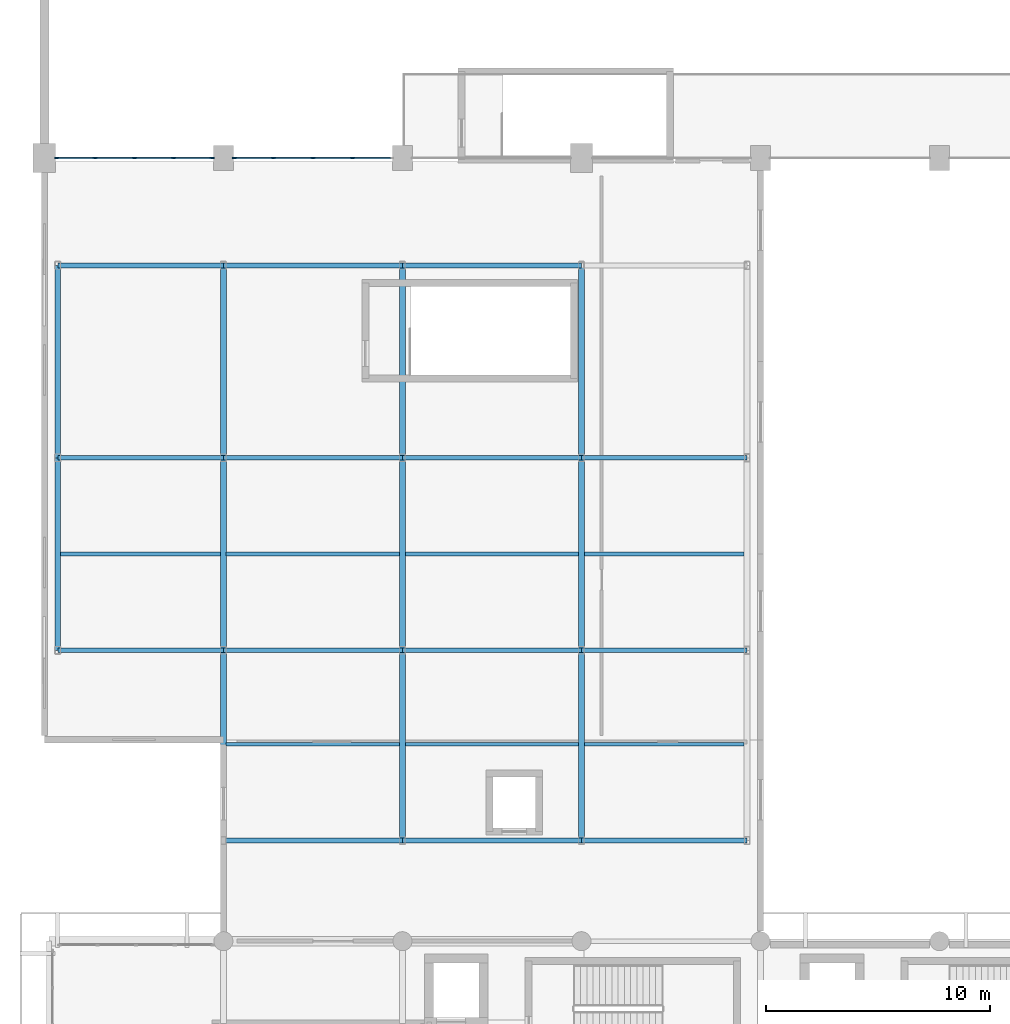
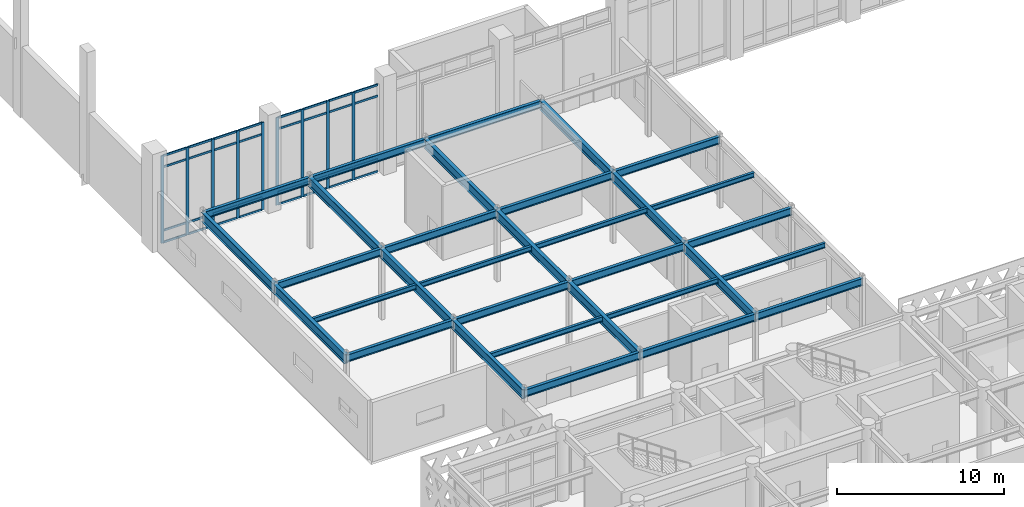
# One storey, part 17 of 84: 41 members, 32 beams, 2 elements without a shape of their own.
"""IFC4 building model written with IfcOpenShell, lengths in metres."""

from ifc_helpers import new_model, si_unit, direction, frame, origin, origin_2d, place, context, subcontext, project, spatial, rectangle, i_section, extrude, material, layer, layer_set, material_profile, profile_set, type_object, element, aggregate, save


model = new_model("IFC4")

# Units and contexts
model_context = context("Model", 3, precision=1e-05, world=origin(), true_north=direction((0.0, 1.0)))
body_context = subcontext(model_context, "Body", "Model", "MODEL_VIEW")
ifc_project = project(units=[si_unit("LENGTHUNIT", "METRE"), si_unit("AREAUNIT", "SQUARE_METRE"), si_unit("VOLUMEUNIT", "CUBIC_METRE"), si_unit("PLANEANGLEUNIT", "RADIAN"), si_unit("MASSUNIT", "GRAM", prefix="KILO")], contexts=[model_context])

# Site, building, storey
site_placement = place(None, origin())
site = spatial("IfcSite", under=ifc_project, at=site_placement, CompositionType="ELEMENT")
building_placement = place(site_placement, origin())
building = spatial("IfcBuilding", under=site, at=building_placement, Name="Tlacozan Convention Centre", CompositionType="ELEMENT")
storey_placement = place(building_placement, frame((0.0, 0.0, 6.0)))
storey = spatial("IfcBuildingStorey", under=building, at=storey_placement, Name="L01", CompositionType="ELEMENT", Elevation=6.0)

# Curtain wall, members
ifc_material_1 = material(Name="Dark Bronze Anodised Aluminium", Category="aluminium")
ifc_layer = layer(ifc_material_1, 0.199951171875)
ifc_layer_set = layer_set([ifc_layer], Name="Dark Bronze Anodised Aluminium")
curtain_wall_type = type_object("IfcCurtainWallType", Name="Exhibition Clerestory Curtain Wall CW10", PredefinedType="NOTDEFINED", material=ifc_layer_set)
curtain_wall_1_placement = place(storey_placement, origin())
curtain_wall_1 = element("IfcCurtainWall", 1, at=curtain_wall_1_placement, inside=storey, type_object=curtain_wall_type, Name="L01 CW-10 Run 9", PredefinedType="NOTDEFINED")
ifc_material_profile_1 = material_profile(ifc_material_1, rectangle(XDim=0.074951171875, YDim=0.199951171875, at=origin_2d()), Name="ALU 75x200")
ifc_profile_set_1 = profile_set([ifc_material_profile_1], Name="Dark Bronze Anodised Aluminium")
member_type_1 = type_object("IfcMemberType", Name="Curtain Wall Heavy Mullion 75x200", PredefinedType="MULLION", material=ifc_profile_set_1)
member_1_placement = place(storey_placement, frame((0.552490234375, 62.0, 0.0), z_axis=(0.0, 0.0, 1.0), x_axis=(0.0, 1.0, 0.0)))
member_1 = element("IfcMember", 2, at=member_1_placement, type_object=member_type_1, Name="CW-10 mullion 1", PredefinedType="MULLION", context=body_context, shape_type="SweptSolid", body=[
    extrude(rectangle(XDim=0.074951171875, YDim=0.199951171875, at=origin_2d()), origin(), (0.0, 0.0, 1.0), 6.39990234375),
])
member_2_placement = place(storey_placement, frame((2.27001953125, 62.0, 0.0), z_axis=(0.0, 0.0, 1.0), x_axis=(0.0, 1.0, 0.0)))
member_2 = element("IfcMember", 3, at=member_2_placement, type_object=member_type_1, Name="CW-10 mullion 2", PredefinedType="MULLION", context=body_context, shape_type="SweptSolid", body=[
    extrude(rectangle(XDim=0.074951171875, YDim=0.199951171875, at=origin_2d()), origin(), (0.0, 0.0, 1.0), 6.39990234375),
])
member_3_placement = place(storey_placement, frame((4.02490234375, 62.0, 0.0), z_axis=(0.0, 0.0, 1.0), x_axis=(0.0, 1.0, 0.0)))
member_3 = element("IfcMember", 4, at=member_3_placement, type_object=member_type_1, Name="CW-10 mullion 3", PredefinedType="MULLION", context=body_context, shape_type="SweptSolid", body=[
    extrude(rectangle(XDim=0.074951171875, YDim=0.199951171875, at=origin_2d()), origin(), (0.0, 0.0, 1.0), 6.39990234375),
])
member_4_placement = place(storey_placement, frame((5.780029296875, 62.0, 0.0), z_axis=(0.0, 0.0, 1.0), x_axis=(0.0, 1.0, 0.0)))
member_4 = element("IfcMember", 5, at=member_4_placement, type_object=member_type_1, Name="CW-10 mullion 4", PredefinedType="MULLION", context=body_context, shape_type="SweptSolid", body=[
    extrude(rectangle(XDim=0.074951171875, YDim=0.199951171875, at=origin_2d()), origin(), (0.0, 0.0, 1.0), 6.39990234375),
])
member_5_placement = place(storey_placement, frame((7.49755859375, 62.0, 0.0), z_axis=(0.0, 0.0, 1.0), x_axis=(0.0, 1.0, 0.0)))
member_5 = element("IfcMember", 6, at=member_5_placement, type_object=member_type_1, Name="CW-10 mullion 5", PredefinedType="MULLION", context=body_context, shape_type="SweptSolid", body=[
    extrude(rectangle(XDim=0.074951171875, YDim=0.199951171875, at=origin_2d()), origin(), (0.0, 0.0, 1.0), 6.39990234375),
])

curtain_wall_2_placement = place(storey_placement, origin())
curtain_wall_2 = element("IfcCurtainWall", 7, at=curtain_wall_2_placement, inside=storey, type_object=curtain_wall_type, Name="L01 CW-10 Run 10", PredefinedType="NOTDEFINED")
member_6_placement = place(storey_placement, frame((8.50244140625, 62.0, 0.0), z_axis=(0.0, 0.0, 1.0), x_axis=(0.0, 1.0, 0.0)))
member_6 = element("IfcMember", 8, at=member_6_placement, type_object=member_type_1, Name="CW-10 mullion 1", PredefinedType="MULLION", context=body_context, shape_type="SweptSolid", body=[
    extrude(rectangle(XDim=0.074951171875, YDim=0.199951171875, at=origin_2d()), origin(), (0.0, 0.0, 1.0), 6.39990234375),
])
member_7_placement = place(storey_placement, frame((10.232421875, 62.0, 0.0), z_axis=(0.0, 0.0, 1.0), x_axis=(0.0, 1.0, 0.0)))
member_7 = element("IfcMember", 9, at=member_7_placement, type_object=member_type_1, Name="CW-10 mullion 2", PredefinedType="MULLION", context=body_context, shape_type="SweptSolid", body=[
    extrude(rectangle(XDim=0.074951171875, YDim=0.199951171875, at=origin_2d()), origin(), (0.0, 0.0, 1.0), 6.39990234375),
])
member_8_placement = place(storey_placement, frame((12.0, 62.0, 0.0), z_axis=(0.0, 0.0, 1.0), x_axis=(0.0, 1.0, 0.0)))
member_8 = element("IfcMember", 10, at=member_8_placement, type_object=member_type_1, Name="CW-10 mullion 3", PredefinedType="MULLION", context=body_context, shape_type="SweptSolid", body=[
    extrude(rectangle(XDim=0.074951171875, YDim=0.199951171875, at=origin_2d()), origin(), (0.0, 0.0, 1.0), 6.39990234375),
])
member_9_placement = place(storey_placement, frame((13.767578125, 62.0, 0.0), z_axis=(0.0, 0.0, 1.0), x_axis=(0.0, 1.0, 0.0)))
member_9 = element("IfcMember", 11, at=member_9_placement, type_object=member_type_1, Name="CW-10 mullion 4", PredefinedType="MULLION", context=body_context, shape_type="SweptSolid", body=[
    extrude(rectangle(XDim=0.074951171875, YDim=0.199951171875, at=origin_2d()), origin(), (0.0, 0.0, 1.0), 6.39990234375),
])

# Member
ifc_material_profile_2 = material_profile(ifc_material_1, rectangle(XDim=0.074951171875, YDim=0.14990234375, at=origin_2d()), Name="ALU 75x150")
ifc_profile_set_2 = profile_set([ifc_material_profile_2], Name="Dark Bronze Anodised Aluminium")
member_type_2 = type_object("IfcMemberType", Name="Curtain Wall Heavy Transom 75x150", PredefinedType="USERDEFINED", material=ifc_profile_set_2)
member_10_placement = place(storey_placement, frame((0.590087890625, 62.0, 0.03759765625), z_axis=(1.0, 0.0, 0.0), x_axis=(0.0, 1.0, 0.0)))
member_10 = element("IfcMember", 12, at=member_10_placement, type_object=member_type_2, Name="CW-10 transom 1.1", ObjectType="TRANSOM", PredefinedType="USERDEFINED", context=body_context, shape_type="SweptSolid", body=[
    extrude(rectangle(XDim=0.074951171875, YDim=0.14990234375, at=origin_2d()), origin(), (0.0, 0.0, 1.0), 1.642333984375),
])

member_11_placement = place(storey_placement, frame((0.590087890625, 62.0, 0.89990234375), z_axis=(1.0, 0.0, 0.0), x_axis=(0.0, 1.0, 0.0)))
member_11 = element("IfcMember", 13, at=member_11_placement, type_object=member_type_2, Name="CW-10 transom 1.2", ObjectType="TRANSOM", PredefinedType="USERDEFINED", context=body_context, shape_type="SweptSolid", body=[
    extrude(rectangle(XDim=0.074951171875, YDim=0.14990234375, at=origin_2d()), origin(), (0.0, 0.0, 1.0), 1.642333984375),
])

member_12_placement = place(storey_placement, frame((0.590087890625, 62.0, 5.550048828125), z_axis=(1.0, 0.0, 0.0), x_axis=(0.0, 1.0, 0.0)))
member_12 = element("IfcMember", 14, at=member_12_placement, type_object=member_type_2, Name="CW-10 transom 1.3", ObjectType="TRANSOM", PredefinedType="USERDEFINED", context=body_context, shape_type="SweptSolid", body=[
    extrude(rectangle(XDim=0.074951171875, YDim=0.14990234375, at=origin_2d()), origin(), (0.0, 0.0, 1.0), 1.642333984375),
])

member_13_placement = place(storey_placement, frame((0.590087890625, 62.0, 6.362548828125), z_axis=(1.0, 0.0, 0.0), x_axis=(0.0, 1.0, 0.0)))
member_13 = element("IfcMember", 15, at=member_13_placement, type_object=member_type_2, Name="CW-10 transom 1.4", ObjectType="TRANSOM", PredefinedType="USERDEFINED", context=body_context, shape_type="SweptSolid", body=[
    extrude(rectangle(XDim=0.074951171875, YDim=0.14990234375, at=origin_2d()), origin(), (0.0, 0.0, 1.0), 1.642333984375),
])

member_14_placement = place(storey_placement, frame((2.3076171875, 62.0, 0.03759765625), z_axis=(1.0, 0.0, 0.0), x_axis=(0.0, 1.0, 0.0)))
member_14 = element("IfcMember", 16, at=member_14_placement, type_object=member_type_2, Name="CW-10 transom 2.1", ObjectType="TRANSOM", PredefinedType="USERDEFINED", context=body_context, shape_type="SweptSolid", body=[
    extrude(rectangle(XDim=0.074951171875, YDim=0.14990234375, at=origin_2d()), origin(), (0.0, 0.0, 1.0), 1.679931640625),
])

member_15_placement = place(storey_placement, frame((2.3076171875, 62.0, 0.89990234375), z_axis=(1.0, 0.0, 0.0), x_axis=(0.0, 1.0, 0.0)))
member_15 = element("IfcMember", 17, at=member_15_placement, type_object=member_type_2, Name="CW-10 transom 2.2", ObjectType="TRANSOM", PredefinedType="USERDEFINED", context=body_context, shape_type="SweptSolid", body=[
    extrude(rectangle(XDim=0.074951171875, YDim=0.14990234375, at=origin_2d()), origin(), (0.0, 0.0, 1.0), 1.679931640625),
])

member_16_placement = place(storey_placement, frame((2.3076171875, 62.0, 5.550048828125), z_axis=(1.0, 0.0, 0.0), x_axis=(0.0, 1.0, 0.0)))
member_16 = element("IfcMember", 18, at=member_16_placement, type_object=member_type_2, Name="CW-10 transom 2.3", ObjectType="TRANSOM", PredefinedType="USERDEFINED", context=body_context, shape_type="SweptSolid", body=[
    extrude(rectangle(XDim=0.074951171875, YDim=0.14990234375, at=origin_2d()), origin(), (0.0, 0.0, 1.0), 1.679931640625),
])

member_17_placement = place(storey_placement, frame((2.3076171875, 62.0, 6.362548828125), z_axis=(1.0, 0.0, 0.0), x_axis=(0.0, 1.0, 0.0)))
member_17 = element("IfcMember", 19, at=member_17_placement, type_object=member_type_2, Name="CW-10 transom 2.4", ObjectType="TRANSOM", PredefinedType="USERDEFINED", context=body_context, shape_type="SweptSolid", body=[
    extrude(rectangle(XDim=0.074951171875, YDim=0.14990234375, at=origin_2d()), origin(), (0.0, 0.0, 1.0), 1.679931640625),
])

member_18_placement = place(storey_placement, frame((4.0625, 62.0, 0.03759765625), z_axis=(1.0, 0.0, 0.0), x_axis=(0.0, 1.0, 0.0)))
member_18 = element("IfcMember", 20, at=member_18_placement, type_object=member_type_2, Name="CW-10 transom 3.1", ObjectType="TRANSOM", PredefinedType="USERDEFINED", context=body_context, shape_type="SweptSolid", body=[
    extrude(rectangle(XDim=0.074951171875, YDim=0.14990234375, at=origin_2d()), origin(), (0.0, 0.0, 1.0), 1.679931640625),
])

member_19_placement = place(storey_placement, frame((4.0625, 62.0, 0.89990234375), z_axis=(1.0, 0.0, 0.0), x_axis=(0.0, 1.0, 0.0)))
member_19 = element("IfcMember", 21, at=member_19_placement, type_object=member_type_2, Name="CW-10 transom 3.2", ObjectType="TRANSOM", PredefinedType="USERDEFINED", context=body_context, shape_type="SweptSolid", body=[
    extrude(rectangle(XDim=0.074951171875, YDim=0.14990234375, at=origin_2d()), origin(), (0.0, 0.0, 1.0), 1.679931640625),
])

member_20_placement = place(storey_placement, frame((4.0625, 62.0, 5.550048828125), z_axis=(1.0, 0.0, 0.0), x_axis=(0.0, 1.0, 0.0)))
member_20 = element("IfcMember", 22, at=member_20_placement, type_object=member_type_2, Name="CW-10 transom 3.3", ObjectType="TRANSOM", PredefinedType="USERDEFINED", context=body_context, shape_type="SweptSolid", body=[
    extrude(rectangle(XDim=0.074951171875, YDim=0.14990234375, at=origin_2d()), origin(), (0.0, 0.0, 1.0), 1.679931640625),
])

member_21_placement = place(storey_placement, frame((4.0625, 62.0, 6.362548828125), z_axis=(1.0, 0.0, 0.0), x_axis=(0.0, 1.0, 0.0)))
member_21 = element("IfcMember", 23, at=member_21_placement, type_object=member_type_2, Name="CW-10 transom 3.4", ObjectType="TRANSOM", PredefinedType="USERDEFINED", context=body_context, shape_type="SweptSolid", body=[
    extrude(rectangle(XDim=0.074951171875, YDim=0.14990234375, at=origin_2d()), origin(), (0.0, 0.0, 1.0), 1.679931640625),
])

member_22_placement = place(storey_placement, frame((5.8173828125, 62.0, 0.03759765625), z_axis=(1.0, 0.0, 0.0), x_axis=(0.0, 1.0, 0.0)))
member_22 = element("IfcMember", 24, at=member_22_placement, type_object=member_type_2, Name="CW-10 transom 4.1", ObjectType="TRANSOM", PredefinedType="USERDEFINED", context=body_context, shape_type="SweptSolid", body=[
    extrude(rectangle(XDim=0.074951171875, YDim=0.14990234375, at=origin_2d()), origin(), (0.0, 0.0, 1.0), 1.642578125),
])

member_23_placement = place(storey_placement, frame((5.8173828125, 62.0, 0.89990234375), z_axis=(1.0, 0.0, 0.0), x_axis=(0.0, 1.0, 0.0)))
member_23 = element("IfcMember", 25, at=member_23_placement, type_object=member_type_2, Name="CW-10 transom 4.2", ObjectType="TRANSOM", PredefinedType="USERDEFINED", context=body_context, shape_type="SweptSolid", body=[
    extrude(rectangle(XDim=0.074951171875, YDim=0.14990234375, at=origin_2d()), origin(), (0.0, 0.0, 1.0), 1.642578125),
])

member_24_placement = place(storey_placement, frame((5.8173828125, 62.0, 5.550048828125), z_axis=(1.0, 0.0, 0.0), x_axis=(0.0, 1.0, 0.0)))
member_24 = element("IfcMember", 26, at=member_24_placement, type_object=member_type_2, Name="CW-10 transom 4.3", ObjectType="TRANSOM", PredefinedType="USERDEFINED", context=body_context, shape_type="SweptSolid", body=[
    extrude(rectangle(XDim=0.074951171875, YDim=0.14990234375, at=origin_2d()), origin(), (0.0, 0.0, 1.0), 1.642578125),
])

member_25_placement = place(storey_placement, frame((5.8173828125, 62.0, 6.362548828125), z_axis=(1.0, 0.0, 0.0), x_axis=(0.0, 1.0, 0.0)))
member_25 = element("IfcMember", 27, at=member_25_placement, type_object=member_type_2, Name="CW-10 transom 4.4", ObjectType="TRANSOM", PredefinedType="USERDEFINED", context=body_context, shape_type="SweptSolid", body=[
    extrude(rectangle(XDim=0.074951171875, YDim=0.14990234375, at=origin_2d()), origin(), (0.0, 0.0, 1.0), 1.642578125),
])

aggregate(curtain_wall_1, [member_1, member_2, member_3, member_4, member_5, member_10, member_11, member_12, member_13, member_14, member_15, member_16, member_17, member_18, member_19, member_20, member_21, member_22, member_23, member_24, member_25])

member_26_placement = place(storey_placement, frame((8.5400390625, 62.0, 0.03759765625), z_axis=(1.0, 0.0, 0.0), x_axis=(0.0, 1.0, 0.0)))
member_26 = element("IfcMember", 28, at=member_26_placement, type_object=member_type_2, Name="CW-10 transom 1.1", ObjectType="TRANSOM", PredefinedType="USERDEFINED", context=body_context, shape_type="SweptSolid", body=[
    extrude(rectangle(XDim=0.074951171875, YDim=0.14990234375, at=origin_2d()), origin(), (0.0, 0.0, 1.0), 1.655029296875),
])

member_27_placement = place(storey_placement, frame((8.5400390625, 62.0, 0.89990234375), z_axis=(1.0, 0.0, 0.0), x_axis=(0.0, 1.0, 0.0)))
member_27 = element("IfcMember", 29, at=member_27_placement, type_object=member_type_2, Name="CW-10 transom 1.2", ObjectType="TRANSOM", PredefinedType="USERDEFINED", context=body_context, shape_type="SweptSolid", body=[
    extrude(rectangle(XDim=0.074951171875, YDim=0.14990234375, at=origin_2d()), origin(), (0.0, 0.0, 1.0), 1.655029296875),
])

member_28_placement = place(storey_placement, frame((8.5400390625, 62.0, 5.550048828125), z_axis=(1.0, 0.0, 0.0), x_axis=(0.0, 1.0, 0.0)))
member_28 = element("IfcMember", 30, at=member_28_placement, type_object=member_type_2, Name="CW-10 transom 1.3", ObjectType="TRANSOM", PredefinedType="USERDEFINED", context=body_context, shape_type="SweptSolid", body=[
    extrude(rectangle(XDim=0.074951171875, YDim=0.14990234375, at=origin_2d()), origin(), (0.0, 0.0, 1.0), 1.655029296875),
])

member_29_placement = place(storey_placement, frame((8.5400390625, 62.0, 6.362548828125), z_axis=(1.0, 0.0, 0.0), x_axis=(0.0, 1.0, 0.0)))
member_29 = element("IfcMember", 31, at=member_29_placement, type_object=member_type_2, Name="CW-10 transom 1.4", ObjectType="TRANSOM", PredefinedType="USERDEFINED", context=body_context, shape_type="SweptSolid", body=[
    extrude(rectangle(XDim=0.074951171875, YDim=0.14990234375, at=origin_2d()), origin(), (0.0, 0.0, 1.0), 1.655029296875),
])

member_30_placement = place(storey_placement, frame((10.27001953125, 62.0, 0.03759765625), z_axis=(1.0, 0.0, 0.0), x_axis=(0.0, 1.0, 0.0)))
member_30 = element("IfcMember", 32, at=member_30_placement, type_object=member_type_2, Name="CW-10 transom 2.1", ObjectType="TRANSOM", PredefinedType="USERDEFINED", context=body_context, shape_type="SweptSolid", body=[
    extrude(rectangle(XDim=0.074951171875, YDim=0.14990234375, at=origin_2d()), origin(), (0.0, 0.0, 1.0), 1.6923828125),
])

member_31_placement = place(storey_placement, frame((10.27001953125, 62.0, 0.89990234375), z_axis=(1.0, 0.0, 0.0), x_axis=(0.0, 1.0, 0.0)))
member_31 = element("IfcMember", 33, at=member_31_placement, type_object=member_type_2, Name="CW-10 transom 2.2", ObjectType="TRANSOM", PredefinedType="USERDEFINED", context=body_context, shape_type="SweptSolid", body=[
    extrude(rectangle(XDim=0.074951171875, YDim=0.14990234375, at=origin_2d()), origin(), (0.0, 0.0, 1.0), 1.6923828125),
])

member_32_placement = place(storey_placement, frame((10.27001953125, 62.0, 5.550048828125), z_axis=(1.0, 0.0, 0.0), x_axis=(0.0, 1.0, 0.0)))
member_32 = element("IfcMember", 34, at=member_32_placement, type_object=member_type_2, Name="CW-10 transom 2.3", ObjectType="TRANSOM", PredefinedType="USERDEFINED", context=body_context, shape_type="SweptSolid", body=[
    extrude(rectangle(XDim=0.074951171875, YDim=0.14990234375, at=origin_2d()), origin(), (0.0, 0.0, 1.0), 1.6923828125),
])

member_33_placement = place(storey_placement, frame((10.27001953125, 62.0, 6.362548828125), z_axis=(1.0, 0.0, 0.0), x_axis=(0.0, 1.0, 0.0)))
member_33 = element("IfcMember", 35, at=member_33_placement, type_object=member_type_2, Name="CW-10 transom 2.4", ObjectType="TRANSOM", PredefinedType="USERDEFINED", context=body_context, shape_type="SweptSolid", body=[
    extrude(rectangle(XDim=0.074951171875, YDim=0.14990234375, at=origin_2d()), origin(), (0.0, 0.0, 1.0), 1.6923828125),
])

member_34_placement = place(storey_placement, frame((12.03759765625, 62.0, 0.03759765625), z_axis=(1.0, 0.0, 0.0), x_axis=(0.0, 1.0, 0.0)))
member_34 = element("IfcMember", 36, at=member_34_placement, type_object=member_type_2, Name="CW-10 transom 3.1", ObjectType="TRANSOM", PredefinedType="USERDEFINED", context=body_context, shape_type="SweptSolid", body=[
    extrude(rectangle(XDim=0.074951171875, YDim=0.14990234375, at=origin_2d()), origin(), (0.0, 0.0, 1.0), 1.6923828125),
])

member_35_placement = place(storey_placement, frame((12.03759765625, 62.0, 0.89990234375), z_axis=(1.0, 0.0, 0.0), x_axis=(0.0, 1.0, 0.0)))
member_35 = element("IfcMember", 37, at=member_35_placement, type_object=member_type_2, Name="CW-10 transom 3.2", ObjectType="TRANSOM", PredefinedType="USERDEFINED", context=body_context, shape_type="SweptSolid", body=[
    extrude(rectangle(XDim=0.074951171875, YDim=0.14990234375, at=origin_2d()), origin(), (0.0, 0.0, 1.0), 1.6923828125),
])

member_36_placement = place(storey_placement, frame((12.03759765625, 62.0, 5.550048828125), z_axis=(1.0, 0.0, 0.0), x_axis=(0.0, 1.0, 0.0)))
member_36 = element("IfcMember", 38, at=member_36_placement, type_object=member_type_2, Name="CW-10 transom 3.3", ObjectType="TRANSOM", PredefinedType="USERDEFINED", context=body_context, shape_type="SweptSolid", body=[
    extrude(rectangle(XDim=0.074951171875, YDim=0.14990234375, at=origin_2d()), origin(), (0.0, 0.0, 1.0), 1.6923828125),
])

member_37_placement = place(storey_placement, frame((12.03759765625, 62.0, 6.362548828125), z_axis=(1.0, 0.0, 0.0), x_axis=(0.0, 1.0, 0.0)))
member_37 = element("IfcMember", 39, at=member_37_placement, type_object=member_type_2, Name="CW-10 transom 3.4", ObjectType="TRANSOM", PredefinedType="USERDEFINED", context=body_context, shape_type="SweptSolid", body=[
    extrude(rectangle(XDim=0.074951171875, YDim=0.14990234375, at=origin_2d()), origin(), (0.0, 0.0, 1.0), 1.6923828125),
])

member_38_placement = place(storey_placement, frame((13.804931640625, 62.0, 0.03759765625), z_axis=(1.0, 0.0, 0.0), x_axis=(0.0, 1.0, 0.0)))
member_38 = element("IfcMember", 40, at=member_38_placement, type_object=member_type_2, Name="CW-10 transom 4.1", ObjectType="TRANSOM", PredefinedType="USERDEFINED", context=body_context, shape_type="SweptSolid", body=[
    extrude(rectangle(XDim=0.074951171875, YDim=0.14990234375, at=origin_2d()), origin(), (0.0, 0.0, 1.0), 1.655029296875),
])

member_39_placement = place(storey_placement, frame((13.804931640625, 62.0, 0.89990234375), z_axis=(1.0, 0.0, 0.0), x_axis=(0.0, 1.0, 0.0)))
member_39 = element("IfcMember", 41, at=member_39_placement, type_object=member_type_2, Name="CW-10 transom 4.2", ObjectType="TRANSOM", PredefinedType="USERDEFINED", context=body_context, shape_type="SweptSolid", body=[
    extrude(rectangle(XDim=0.074951171875, YDim=0.14990234375, at=origin_2d()), origin(), (0.0, 0.0, 1.0), 1.655029296875),
])

member_40_placement = place(storey_placement, frame((13.804931640625, 62.0, 5.550048828125), z_axis=(1.0, 0.0, 0.0), x_axis=(0.0, 1.0, 0.0)))
member_40 = element("IfcMember", 42, at=member_40_placement, type_object=member_type_2, Name="CW-10 transom 4.3", ObjectType="TRANSOM", PredefinedType="USERDEFINED", context=body_context, shape_type="SweptSolid", body=[
    extrude(rectangle(XDim=0.074951171875, YDim=0.14990234375, at=origin_2d()), origin(), (0.0, 0.0, 1.0), 1.655029296875),
])

member_41_placement = place(storey_placement, frame((13.804931640625, 62.0, 6.362548828125), z_axis=(1.0, 0.0, 0.0), x_axis=(0.0, 1.0, 0.0)))
member_41 = element("IfcMember", 43, at=member_41_placement, type_object=member_type_2, Name="CW-10 transom 4.4", ObjectType="TRANSOM", PredefinedType="USERDEFINED", context=body_context, shape_type="SweptSolid", body=[
    extrude(rectangle(XDim=0.074951171875, YDim=0.14990234375, at=origin_2d()), origin(), (0.0, 0.0, 1.0), 1.655029296875),
])

aggregate(curtain_wall_2, [member_6, member_7, member_8, member_9, member_26, member_27, member_28, member_29, member_30, member_31, member_32, member_33, member_34, member_35, member_36, member_37, member_38, member_39, member_40, member_41])

# Beams
ifc_material_2 = material(Name="Steel ASTM A992 Grade 50", Category="steel")
ifc_material_profile_3 = material_profile(ifc_material_2, i_section(OverallWidth=0.2109375, OverallDepth=0.5390625, WebThickness=0.01171875, FlangeThickness=0.018798828125, FilletRadius=0.012939453125, at=origin_2d()), Name="IR 533x109.0")
ifc_profile_set_3 = profile_set([ifc_material_profile_3], Name="Steel ASTM A992 Grade 50")
beam_type_1 = type_object("IfcBeamType", Name="Floor Beam IR 533x109", PredefinedType="BEAM", material=ifc_profile_set_3)
for number, where, z_axis, x_axis, name in (
    (44, (0.60009765625, 40.0, 4.910400390625), (1.0, 0.0, 0.0), (0.0, 1.0, 0.0), "L01 Floor Beam IR 533x109 1701"),
    (45, (0.60009765625, 48.60009765625, 4.910400390625), (1.0, 0.0, 0.0), (0.0, 1.0, 0.0), "L01 Floor Beam IR 533x109 1702"),
    (46, (0.60009765625, 57.199951171875, 4.910400390625), (1.0, 0.0, 0.0), (0.0, 1.0, 0.0), "L01 Floor Beam IR 533x109 1703"),
):
    element("IfcBeam", number, at=place(storey_placement, frame(where, z_axis=z_axis, x_axis=x_axis)), inside=storey, type_object=beam_type_1, Name=name, PredefinedType="BEAM", context=body_context, shape_type="SweptSolid", body=[
        extrude(i_section(OverallWidth=0.2109375, OverallDepth=0.5390625, WebThickness=0.01171875, FlangeThickness=0.018798828125, FilletRadius=0.012939453125, at=origin_2d()), origin(), (0.0, 0.0, 1.0), 7.39990234375),
    ])
for number, where, z_axis, x_axis, name in (
    (47, (8.0, 31.5, 4.910400390625), (1.0, 0.0, 0.0), (0.0, 1.0, 0.0), "L01 Floor Beam IR 533x109 1705"),
    (48, (8.0, 40.0, 4.910400390625), (1.0, 0.0, 0.0), (0.0, 1.0, 0.0), "L01 Floor Beam IR 533x109 1706"),
    (49, (8.0, 48.60009765625, 4.910400390625), (1.0, 0.0, 0.0), (0.0, 1.0, 0.0), "L01 Floor Beam IR 533x109 1707"),
    (50, (8.0, 57.199951171875, 4.910400390625), (1.0, 0.0, 0.0), (0.0, 1.0, 0.0), "L01 Floor Beam IR 533x109 1708"),
    (51, (16.0, 31.5, 4.910400390625), (1.0, 0.0, 0.0), (0.0, 1.0, 0.0), "L01 Floor Beam IR 533x109 1711"),
    (52, (16.0, 40.0, 4.910400390625), (1.0, 0.0, 0.0), (0.0, 1.0, 0.0), "L01 Floor Beam IR 533x109 1712"),
    (53, (16.0, 48.60009765625, 4.910400390625), (1.0, 0.0, 0.0), (0.0, 1.0, 0.0), "L01 Floor Beam IR 533x109 1713"),
    (54, (16.0, 57.199951171875, 4.910400390625), (1.0, 0.0, 0.0), (0.0, 1.0, 0.0), "L01 Floor Beam IR 533x109 1714"),
):
    element("IfcBeam", number, at=place(storey_placement, frame(where, z_axis=z_axis, x_axis=x_axis)), inside=storey, type_object=beam_type_1, Name=name, PredefinedType="BEAM", context=body_context, shape_type="SweptSolid", body=[
        extrude(i_section(OverallWidth=0.2109375, OverallDepth=0.5390625, WebThickness=0.01171875, FlangeThickness=0.018798828125, FilletRadius=0.012939453125, at=origin_2d()), origin(), (0.0, 0.0, 1.0), 8.0),
    ])
for number, where, z_axis, x_axis, name in (
    (55, (24.0, 31.5, 4.910400390625), (1.0, 0.0, 0.0), (0.0, 1.0, 0.0), "L01 Floor Beam IR 533x109 1717"),
    (56, (24.0, 40.0, 4.910400390625), (1.0, 0.0, 0.0), (0.0, 1.0, 0.0), "L01 Floor Beam IR 533x109 1718"),
    (57, (24.0, 48.60009765625, 4.910400390625), (1.0, 0.0, 0.0), (0.0, 1.0, 0.0), "L01 Floor Beam IR 533x109 1719"),
):
    element("IfcBeam", number, at=place(storey_placement, frame(where, z_axis=z_axis, x_axis=x_axis)), inside=storey, type_object=beam_type_1, Name=name, PredefinedType="BEAM", context=body_context, shape_type="SweptSolid", body=[
        extrude(i_section(OverallWidth=0.2109375, OverallDepth=0.5390625, WebThickness=0.01171875, FlangeThickness=0.018798828125, FilletRadius=0.012939453125, at=origin_2d()), origin(), (0.0, 0.0, 1.0), 7.39990234375),
    ])
ifc_material_profile_4 = material_profile(ifc_material_2, i_section(OverallWidth=0.256103515625, OverallDepth=0.693115234375, WebThickness=0.014404296875, FlangeThickness=0.023681640625, FilletRadius=0.014892578125, at=origin_2d()), Name="IR 686x170.0")
ifc_profile_set_4 = profile_set([ifc_material_profile_4], Name="Steel ASTM A992 Grade 50")
beam_type_2 = type_object("IfcBeamType", Name="Girder Steel IR 686x170", PredefinedType="BEAM", material=ifc_profile_set_4)
beam_1_placement = place(storey_placement, frame((0.60009765625, 40.0, 4.83349609375), z_axis=(0.0, 1.0, 0.0), x_axis=(-1.0, 0.0, 0.0)))
element("IfcBeam", 58, at=beam_1_placement, inside=storey, type_object=beam_type_2, Name="L01 Girder Steel IR 686x170 1687", PredefinedType="BEAM", context=body_context, shape_type="SweptSolid", body=[
    extrude(i_section(OverallWidth=0.256103515625, OverallDepth=0.693115234375, WebThickness=0.014404296875, FlangeThickness=0.023681640625, FilletRadius=0.014892578125, at=origin_2d()), origin(), (0.0, 0.0, 1.0), 8.60009765625),
])
beam_2_placement = place(storey_placement, frame((0.60009765625, 48.60009765625, 4.83349609375), z_axis=(0.0, 1.0, 0.0), x_axis=(-1.0, 0.0, 0.0)))
element("IfcBeam", 59, at=beam_2_placement, inside=storey, type_object=beam_type_2, Name="L01 Girder Steel IR 686x170 1688", PredefinedType="BEAM", context=body_context, shape_type="SweptSolid", body=[
    extrude(i_section(OverallWidth=0.256103515625, OverallDepth=0.693115234375, WebThickness=0.014404296875, FlangeThickness=0.023681640625, FilletRadius=0.014892578125, at=origin_2d()), origin(), (0.0, 0.0, 1.0), 8.599853515625),
])
beam_3_placement = place(storey_placement, frame((8.0, 31.5, 4.83349609375), z_axis=(0.0, 1.0, 0.0), x_axis=(-1.0, 0.0, 0.0)))
element("IfcBeam", 60, at=beam_3_placement, inside=storey, type_object=beam_type_2, Name="L01 Girder Steel IR 686x170 1689", PredefinedType="BEAM", context=body_context, shape_type="SweptSolid", body=[
    extrude(i_section(OverallWidth=0.256103515625, OverallDepth=0.693115234375, WebThickness=0.014404296875, FlangeThickness=0.023681640625, FilletRadius=0.014892578125, at=origin_2d()), origin(), (0.0, 0.0, 1.0), 8.5),
])
beam_4_placement = place(storey_placement, frame((8.0, 40.0, 4.83349609375), z_axis=(0.0, 1.0, 0.0), x_axis=(-1.0, 0.0, 0.0)))
element("IfcBeam", 61, at=beam_4_placement, inside=storey, type_object=beam_type_2, Name="L01 Girder Steel IR 686x170 1690", PredefinedType="BEAM", context=body_context, shape_type="SweptSolid", body=[
    extrude(i_section(OverallWidth=0.256103515625, OverallDepth=0.693115234375, WebThickness=0.014404296875, FlangeThickness=0.023681640625, FilletRadius=0.014892578125, at=origin_2d()), origin(), (0.0, 0.0, 1.0), 8.60009765625),
])
beam_5_placement = place(storey_placement, frame((8.0, 48.60009765625, 4.83349609375), z_axis=(0.0, 1.0, 0.0), x_axis=(-1.0, 0.0, 0.0)))
element("IfcBeam", 62, at=beam_5_placement, inside=storey, type_object=beam_type_2, Name="L01 Girder Steel IR 686x170 1691", PredefinedType="BEAM", context=body_context, shape_type="SweptSolid", body=[
    extrude(i_section(OverallWidth=0.256103515625, OverallDepth=0.693115234375, WebThickness=0.014404296875, FlangeThickness=0.023681640625, FilletRadius=0.014892578125, at=origin_2d()), origin(), (0.0, 0.0, 1.0), 8.599853515625),
])
beam_6_placement = place(storey_placement, frame((16.0, 31.5, 4.83349609375), z_axis=(0.0, 1.0, 0.0), x_axis=(-1.0, 0.0, 0.0)))
element("IfcBeam", 63, at=beam_6_placement, inside=storey, type_object=beam_type_2, Name="L01 Girder Steel IR 686x170 1692", PredefinedType="BEAM", context=body_context, shape_type="SweptSolid", body=[
    extrude(i_section(OverallWidth=0.256103515625, OverallDepth=0.693115234375, WebThickness=0.014404296875, FlangeThickness=0.023681640625, FilletRadius=0.014892578125, at=origin_2d()), origin(), (0.0, 0.0, 1.0), 8.5),
])
beam_7_placement = place(storey_placement, frame((16.0, 40.0, 4.83349609375), z_axis=(0.0, 1.0, 0.0), x_axis=(-1.0, 0.0, 0.0)))
element("IfcBeam", 64, at=beam_7_placement, inside=storey, type_object=beam_type_2, Name="L01 Girder Steel IR 686x170 1693", PredefinedType="BEAM", context=body_context, shape_type="SweptSolid", body=[
    extrude(i_section(OverallWidth=0.256103515625, OverallDepth=0.693115234375, WebThickness=0.014404296875, FlangeThickness=0.023681640625, FilletRadius=0.014892578125, at=origin_2d()), origin(), (0.0, 0.0, 1.0), 8.60009765625),
])
beam_8_placement = place(storey_placement, frame((16.0, 48.60009765625, 4.83349609375), z_axis=(0.0, 1.0, 0.0), x_axis=(-1.0, 0.0, 0.0)))
element("IfcBeam", 65, at=beam_8_placement, inside=storey, type_object=beam_type_2, Name="L01 Girder Steel IR 686x170 1694", PredefinedType="BEAM", context=body_context, shape_type="SweptSolid", body=[
    extrude(i_section(OverallWidth=0.256103515625, OverallDepth=0.693115234375, WebThickness=0.014404296875, FlangeThickness=0.023681640625, FilletRadius=0.014892578125, at=origin_2d()), origin(), (0.0, 0.0, 1.0), 8.599853515625),
])
beam_9_placement = place(storey_placement, frame((24.0, 31.5, 4.83349609375), z_axis=(0.0, 1.0, 0.0), x_axis=(-1.0, 0.0, 0.0)))
element("IfcBeam", 66, at=beam_9_placement, inside=storey, type_object=beam_type_2, Name="L01 Girder Steel IR 686x170 1695", PredefinedType="BEAM", context=body_context, shape_type="SweptSolid", body=[
    extrude(i_section(OverallWidth=0.256103515625, OverallDepth=0.693115234375, WebThickness=0.014404296875, FlangeThickness=0.023681640625, FilletRadius=0.014892578125, at=origin_2d()), origin(), (0.0, 0.0, 1.0), 8.5),
])
beam_10_placement = place(storey_placement, frame((24.0, 40.0, 4.83349609375), z_axis=(0.0, 1.0, 0.0), x_axis=(-1.0, 0.0, 0.0)))
element("IfcBeam", 67, at=beam_10_placement, inside=storey, type_object=beam_type_2, Name="L01 Girder Steel IR 686x170 1696", PredefinedType="BEAM", context=body_context, shape_type="SweptSolid", body=[
    extrude(i_section(OverallWidth=0.256103515625, OverallDepth=0.693115234375, WebThickness=0.014404296875, FlangeThickness=0.023681640625, FilletRadius=0.014892578125, at=origin_2d()), origin(), (0.0, 0.0, 1.0), 8.60009765625),
])
beam_11_placement = place(storey_placement, frame((24.0, 48.60009765625, 4.83349609375), z_axis=(0.0, 1.0, 0.0), x_axis=(-1.0, 0.0, 0.0)))
element("IfcBeam", 68, at=beam_11_placement, inside=storey, type_object=beam_type_2, Name="L01 Girder Steel IR 686x170 1697", PredefinedType="BEAM", context=body_context, shape_type="SweptSolid", body=[
    extrude(i_section(OverallWidth=0.256103515625, OverallDepth=0.693115234375, WebThickness=0.014404296875, FlangeThickness=0.023681640625, FilletRadius=0.014892578125, at=origin_2d()), origin(), (0.0, 0.0, 1.0), 8.599853515625),
])
ifc_material_profile_5 = material_profile(ifc_material_2, i_section(OverallWidth=0.173095703125, OverallDepth=0.364013671875, WebThickness=0.009033203125, FlangeThickness=0.015625, FilletRadius=0.010009765625, at=origin_2d()), Name="IR 356x67.1")
ifc_profile_set_5 = profile_set([ifc_material_profile_5], Name="Steel ASTM A992 Grade 50")
beam_type_3 = type_object("IfcBeamType", Name="Secondary Joist IR 356x67.1", PredefinedType="JOIST", material=ifc_profile_set_5)
beam_12_placement = place(storey_placement, frame((0.72607421875, 44.300048828125, 4.998046875), z_axis=(1.0, 0.0, 0.0), x_axis=(0.0, 1.0, 0.0)))
element("IfcBeam", 69, at=beam_12_placement, inside=storey, type_object=beam_type_3, Name="L01 Secondary Joist IR 356x67.1 1704", PredefinedType="JOIST", context=body_context, shape_type="SweptSolid", body=[
    extrude(i_section(OverallWidth=0.173095703125, OverallDepth=0.364013671875, WebThickness=0.009033203125, FlangeThickness=0.015625, FilletRadius=0.010009765625, at=origin_2d()), origin(), (0.0, 0.0, 1.0), 7.14794921875),
])
for number, where, z_axis, x_axis, name in (
    (70, (8.1259765625, 35.800048828125, 4.998046875), (1.0, 0.0, 0.0), (0.0, 1.0, 0.0), "L01 Secondary Joist IR 356x67.1 1709"),
    (71, (8.1259765625, 44.300048828125, 4.998046875), (1.0, 0.0, 0.0), (0.0, 1.0, 0.0), "L01 Secondary Joist IR 356x67.1 1710"),
    (72, (16.1259765625, 35.800048828125, 4.998046875), (1.0, 0.0, 0.0), (0.0, 1.0, 0.0), "L01 Secondary Joist IR 356x67.1 1715"),
    (73, (16.1259765625, 44.300048828125, 4.998046875), (1.0, 0.0, 0.0), (0.0, 1.0, 0.0), "L01 Secondary Joist IR 356x67.1 1716"),
):
    element("IfcBeam", number, at=place(storey_placement, frame(where, z_axis=z_axis, x_axis=x_axis)), inside=storey, type_object=beam_type_3, Name=name, PredefinedType="JOIST", context=body_context, shape_type="SweptSolid", body=[
        extrude(i_section(OverallWidth=0.173095703125, OverallDepth=0.364013671875, WebThickness=0.009033203125, FlangeThickness=0.015625, FilletRadius=0.010009765625, at=origin_2d()), origin(), (0.0, 0.0, 1.0), 7.748046875),
    ])
for number, where, z_axis, x_axis, name in (
    (74, (24.1259765625, 35.800048828125, 4.998046875), (1.0, 0.0, 0.0), (0.0, 1.0, 0.0), "L01 Secondary Joist IR 356x67.1 1721"),
    (75, (24.1259765625, 44.300048828125, 4.998046875), (1.0, 0.0, 0.0), (0.0, 1.0, 0.0), "L01 Secondary Joist IR 356x67.1 1722"),
):
    element("IfcBeam", number, at=place(storey_placement, frame(where, z_axis=z_axis, x_axis=x_axis)), inside=storey, type_object=beam_type_3, Name=name, PredefinedType="JOIST", context=body_context, shape_type="SweptSolid", body=[
        extrude(i_section(OverallWidth=0.173095703125, OverallDepth=0.364013671875, WebThickness=0.009033203125, FlangeThickness=0.015625, FilletRadius=0.010009765625, at=origin_2d()), origin(), (0.0, 0.0, 1.0), 7.14794921875),
    ])

save(model, "model.ifc")
